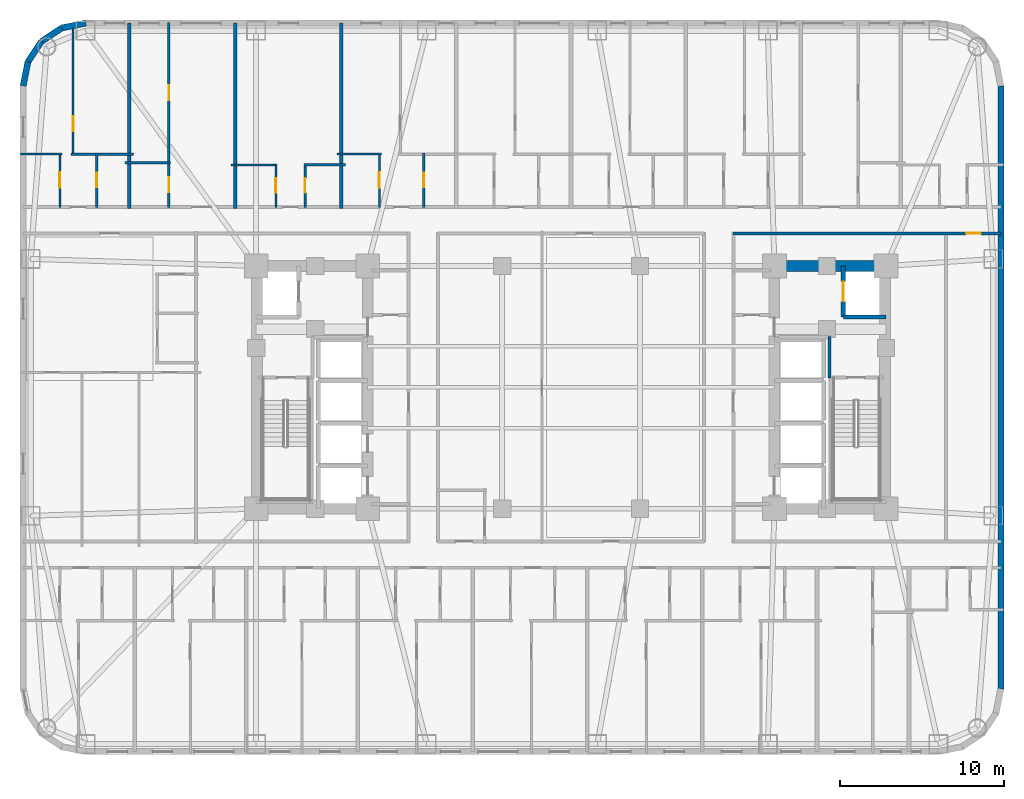
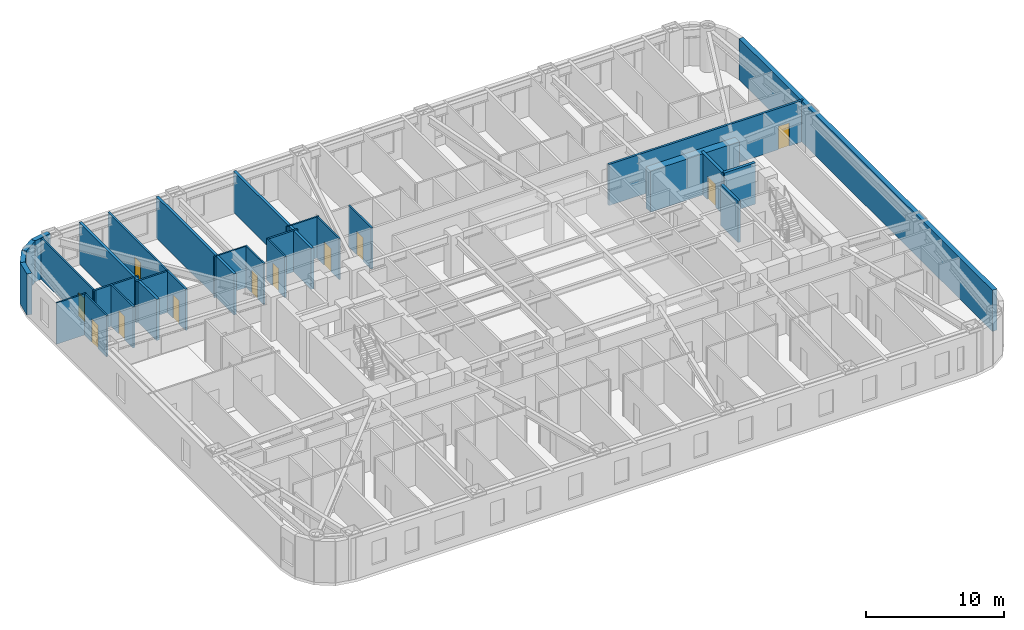
# One storey, part 7 of 12: 28 walls, 11 doors, 11 openings.
"""IFC4 building model written with IfcOpenShell, lengths in metres."""

from ifc_helpers import new_model, si_unit, direction, frame, frame_2d, origin, place, context, subcontext, project, spatial, rectangle, extrude, material, layer, layer_set, type_object, element, fill, save


model = new_model("IFC4")

# Units and contexts
model_context = context("Model", 3, precision=1e-05, world=origin(), true_north=direction((0.0, 1.0)))
body_context = subcontext(model_context, "Body", "Model", "MODEL_VIEW")
ifc_project = project(units=[si_unit("LENGTHUNIT", "METRE"), si_unit("AREAUNIT", "SQUARE_METRE"), si_unit("VOLUMEUNIT", "CUBIC_METRE"), si_unit("PLANEANGLEUNIT", "RADIAN"), si_unit("MASSUNIT", "GRAM", prefix="KILO")], contexts=[model_context])

# Site, building, storey
site_placement = place(None, origin())
site = spatial("IfcSite", under=ifc_project, at=site_placement, CompositionType="ELEMENT")
building_placement = place(site_placement, origin())
building = spatial("IfcBuilding", under=site, at=building_placement, Name="Voryun Gate Residences", CompositionType="ELEMENT")
storey_placement = place(building_placement, frame((0.0, 0.0, 65.0)))
storey = spatial("IfcBuildingStorey", under=building, at=storey_placement, Name="L15", CompositionType="ELEMENT", Elevation=65.0)

# Wall
ifc_material_1 = material(Name="Concrete C60/75", Category="concrete")
ifc_layer_1 = layer(ifc_material_1, 0.64990234375, Name="CW_CORE_650")
ifc_layer_set_1 = layer_set([ifc_layer_1], Name="Concrete C60/75")
wall_type_1 = type_object("IfcWallType", Name="CW_CORE_650", PredefinedType="SHEAR", material=ifc_layer_set_1)
wall_1_placement = place(storey_placement, frame((12.074951171875, 7.39990234375, 0.0), z_axis=(0.0, 0.0, 1.0), x_axis=(1.0, 0.0, 0.0)))
element("IfcWall", 1, at=wall_1_placement, inside=storey, type_object=wall_type_1, Name="L15 Core shear wall CW-L15-EN", PredefinedType="SHEAR", context=body_context, shape_type="SweptSolid", body=[
    extrude(rectangle(XDim=7.449951171875, YDim=0.64990234375, at=frame_2d((3.72509765625, 0.0))), origin(), (0.0, 0.0, 1.0), 3.64990234375),
])

# Wall, opening, door
ifc_material_2 = material(Name="Gypsum acoustic fireboard")
ifc_layer_2 = layer(ifc_material_2, 0.179931640625, Name="W_CORR_RATED_180")
ifc_layer_set_2 = layer_set([ifc_layer_2], Name="Gypsum acoustic fireboard")
wall_type_2 = type_object("IfcWallType", Name="W_CORR_RATED_180", PredefinedType="PARTITIONING", material=ifc_layer_set_2)
wall_2_placement = place(storey_placement, frame((9.8798828125, 9.389892578125, 0.0), z_axis=(0.0, 0.0, 1.0), x_axis=(1.0, 0.0, 0.0)))
wall_2 = element("IfcWall", 2, at=wall_2_placement, inside=storey, type_object=wall_type_2, Name="Partition wall WP-L15-CWING-EN", PredefinedType="PARTITIONING", context=body_context, shape_type="SweptSolid", body=[
    extrude(rectangle(XDim=16.330078125, YDim=0.179931640625, at=frame_2d((8.1650390625, 0.0))), origin(), (0.0, 0.0, 1.0), 3.64990234375),
])
opening_1_placement = place(wall_2_placement, frame((14.21435546875, 0.0, 0.0)))
opening_1 = element("IfcOpeningElement", 3, at=opening_1_placement, cuts=wall_2, Name="Opening D-INT-2", PredefinedType="OPENING", context=body_context, shape_type="SweptSolid", body=[
    extrude(rectangle(XDim=0.89990234375, YDim=2.050048828125, at=frame_2d((0.449951171875, 1.02490234375))), frame((0.0, 0.099853515625, 0.0), z_axis=(0.0, -1.0, 0.0), x_axis=(1.0, 0.0, 0.0)), (0.0, 0.0, 1.0), 0.199951171875),
])
ifc_material_3 = material(Name="Architectural oak veneer")
door_type_1 = type_object("IfcDoorType", Name="DR_INT_BATH_900", OperationType="NOTDEFINED", PredefinedType="DOOR", material=ifc_material_3)
door_1_placement = place(opening_1_placement, origin())
door_1 = element("IfcDoor", 4, at=door_1_placement, inside=storey, type_object=door_type_1, Name="Door DR-L15-EE1N", OperationType="SINGLE_SWING_LEFT", OverallHeight=2.050048828125, OverallWidth=0.89990234375, PredefinedType="DOOR", context=body_context, shape_type="SweptSolid", body=[
    extrude(rectangle(XDim=0.89990234375, YDim=2.050048828125, at=frame_2d((0.449951171875, 1.02490234375))), frame((0.0, 0.02490234375, 0.0), z_axis=(0.0, -1.0, 0.0), x_axis=(1.0, 0.0, 0.0)), (0.0, 0.0, 1.0), 0.050048828125),
])
fill(opening_1, door_1)

# Walls
ifc_material_4 = material(Name="Granite masonry", Category="masonry")
ifc_layer_3 = layer(ifc_material_4, 0.3798828125, Name="W_EXT_GRANITE_380")
ifc_layer_set_3 = layer_set([ifc_layer_3], Name="Granite masonry")
wall_type_3 = type_object("IfcWallType", Name="W_EXT_GRANITE_380", PredefinedType="ELEMENTEDWALL", material=ifc_layer_set_3)
wall_3_placement = place(storey_placement, frame((-33.409912109375, 18.38134765625, 0.0), z_axis=(0.0, 0.0, 1.0), x_axis=(0.195086038585, 0.980786132421, 0.0)))
element("IfcWall", 5, at=wall_3_placement, inside=storey, type_object=wall_type_3, Name="Exterior wall WEXT-L15-07", PredefinedType="ELEMENTEDWALL", context=body_context, shape_type="SweptSolid", body=[
    extrude(rectangle(XDim=1.504150390625, YDim=0.3798828125, at=frame_2d((0.751953125, 0.0))), origin(), (0.0, 0.0, 1.0), 3.64990234375),
])
wall_4_placement = place(storey_placement, frame((-33.116455078125, 19.856689453125, 0.0), z_axis=(0.0, 0.0, 1.0), x_axis=(0.555572577804, 0.831468045563, 0.0)))
element("IfcWall", 6, at=wall_4_placement, inside=storey, type_object=wall_type_3, Name="Exterior wall WEXT-L15-08", PredefinedType="ELEMENTEDWALL", context=body_context, shape_type="SweptSolid", body=[
    extrude(rectangle(XDim=1.48486328125, YDim=0.3798828125, at=frame_2d((0.742431640625, 0.0))), origin(), (0.0, 0.0, 1.0), 3.64990234375),
])
wall_5_placement = place(storey_placement, frame((-32.29150390625, 21.09130859375, 0.0), z_axis=(0.0, 0.0, 1.0), x_axis=(0.831442848281, 0.555610286119, 0.0)))
element("IfcWall", 7, at=wall_5_placement, inside=storey, type_object=wall_type_3, Name="Exterior wall WEXT-L15-09", PredefinedType="ELEMENTEDWALL", context=body_context, shape_type="SweptSolid", body=[
    extrude(rectangle(XDim=1.485107421875, YDim=0.3798828125, at=frame_2d((0.74267578125, 0.0))), origin(), (0.0, 0.0, 1.0), 3.64990234375),
])
wall_6_placement = place(storey_placement, frame((-31.056640625, 21.91650390625, 0.0), z_axis=(0.0, 0.0, 1.0), x_axis=(0.980786132421, 0.195086038585, 0.0)))
element("IfcWall", 8, at=wall_6_placement, inside=storey, type_object=wall_type_3, Name="Exterior wall WEXT-L15-10", PredefinedType="ELEMENTEDWALL", context=body_context, shape_type="SweptSolid", body=[
    extrude(rectangle(XDim=1.504150390625, YDim=0.3798828125, at=frame_2d((0.751953125, 0.0))), origin(), (0.0, 0.0, 1.0), 3.64990234375),
])
wall_7_placement = place(storey_placement, frame((26.2099609375, 18.38134765625, 0.0), z_axis=(0.0, 0.0, 1.0), x_axis=(0.0, -1.0, 0.0)))
element("IfcWall", 9, at=wall_7_placement, inside=storey, type_object=wall_type_3, Name="Exterior wall WEXT-L15-16", PredefinedType="ELEMENTEDWALL", context=body_context, shape_type="SweptSolid", body=[
    extrude(rectangle(XDim=36.7626953125, YDim=0.3798828125, at=frame_2d((18.38134765625, 0.0))), origin(), (0.0, 0.0, 1.0), 3.64990234375),
])
ifc_material_5 = material(Name="Concrete C40/50", Category="concrete")
ifc_layer_4 = layer(ifc_material_5, 0.199951171875, Name="W_FF_LOBBY_200")
ifc_layer_set_4 = layer_set([ifc_layer_4], Name="Concrete C40/50")
wall_type_4 = type_object("IfcWallType", Name="W_FF_LOBBY_200", PredefinedType="PARTITIONING", material=ifc_layer_set_4)
wall_8_placement = place(storey_placement, frame((15.760009765625, 0.580078125, 0.0), z_axis=(0.0, 0.0, 1.0), x_axis=(0.0, 1.0, 0.0)))
element("IfcWall", 10, at=wall_8_placement, inside=storey, type_object=wall_type_4, Name="Partition wall WP-L15-FFP0-E", PredefinedType="PARTITIONING", context=body_context, shape_type="SweptSolid", body=[
    extrude(rectangle(XDim=2.52001953125, YDim=0.199951171875, at=frame_2d((1.260009765625, 0.0))), origin(), (0.0, 0.0, 1.0), 3.64990234375),
])
ifc_material_6 = material(Name="Concrete C40/50", Category="concrete")
ifc_layer_5 = layer(ifc_material_6, 0.219970703125, Name="W_PARTY_ACOUSTIC_220")
ifc_layer_set_5 = layer_set([ifc_layer_5], Name="Concrete C40/50")
wall_type_5 = type_object("IfcWallType", Name="W_PARTY_ACOUSTIC_220", PredefinedType="PARTITIONING", material=ifc_layer_set_5)
for number, where, z_axis, x_axis, name in (
    (11, (-26.945068359375, 10.919921875, 0.0), (0.0, 0.0, 1.0), (0.0, 1.0, 0.0), "Partition wall WP-L15-NPTY-1"),
    (12, (-20.472900390625, 10.919921875, 0.0), (0.0, 0.0, 1.0), (0.0, 1.0, 0.0), "Partition wall WP-L15-NPTY-2"),
    (13, (-14.0, 10.919921875, 0.0), (0.0, 0.0, 1.0), (0.0, 1.0, 0.0), "Partition wall WP-L15-NPTY-3"),
):
    element("IfcWall", number, at=place(storey_placement, frame(where, z_axis=z_axis, x_axis=x_axis)), inside=storey, type_object=wall_type_5, Name=name, PredefinedType="PARTITIONING", context=body_context, shape_type="SweptSolid", body=[
        extrude(rectangle(XDim=11.2900390625, YDim=0.219970703125, at=frame_2d((5.64501953125, 0.0))), origin(), (0.0, 0.0, 1.0), 3.64990234375),
    ])
ifc_material_7 = material(Name="Concrete C50/60", Category="concrete")
ifc_layer_6 = layer(ifc_material_7, 0.25, Name="W_SHAFT_RC250")
ifc_layer_set_6 = layer_set([ifc_layer_6], Name="Concrete C50/60")
wall_type_6 = type_object("IfcWallType", Name="W_SHAFT_RC250", PredefinedType="SOLIDWALL", material=ifc_layer_set_6)
wall_9_placement = place(storey_placement, frame((16.60009765625, 4.300048828125, 0.0), z_axis=(0.0, 0.0, 1.0), x_axis=(1.0, 0.0, 0.0)))
element("IfcWall", 14, at=wall_9_placement, inside=storey, type_object=wall_type_6, Name="Lift shaft wall WSH-L15-EL-FF-E1-S", PredefinedType="SOLIDWALL", context=body_context, shape_type="SweptSolid", body=[
    extrude(rectangle(XDim=2.599853515625, YDim=0.25, at=frame_2d((1.2998046875, 0.0))), origin(), (0.0, 0.0, 1.0), 3.64990234375),
])

# Wall, opening, door
wall_10_placement = place(storey_placement, frame((16.60009765625, 7.39990234375, 0.0), z_axis=(0.0, 0.0, 1.0), x_axis=(0.0, -1.0, 0.0)))
wall_10 = element("IfcWall", 15, at=wall_10_placement, inside=storey, type_object=wall_type_6, Name="Lift shaft wall WSH-L15-EL-FF-E1-W", PredefinedType="SOLIDWALL", context=body_context, shape_type="SweptSolid", body=[
    extrude(rectangle(XDim=3.099853515625, YDim=0.25, at=frame_2d((1.5498046875, 0.0))), origin(), (0.0, 0.0, 1.0), 3.64990234375),
])
opening_2_placement = place(wall_10_placement, frame((0.949951171875, 0.0, 0.0)))
opening_2 = element("IfcOpeningElement", 16, at=opening_2_placement, cuts=wall_10, Name="Opening LD1", PredefinedType="OPENING", context=body_context, shape_type="SweptSolid", body=[
    extrude(rectangle(XDim=1.199951171875, YDim=2.050048828125, at=frame_2d((0.60009765625, 1.02490234375))), frame((0.0, 0.135009765625, 0.0), z_axis=(0.0, -1.0, 0.0), x_axis=(1.0, 0.0, 0.0)), (0.0, 0.0, 1.0), 0.27001953125),
])
ifc_material_8 = material(Name="Anodised aluminium", Category="aluminium")
door_type_2 = type_object("IfcDoorType", Name="DR_LD_FF_1200", OperationType="NOTDEFINED", PredefinedType="DOOR", material=ifc_material_8)
door_2_placement = place(opening_2_placement, origin())
door_2 = element("IfcDoor", 17, at=door_2_placement, inside=storey, type_object=door_type_2, Name="Lift EL-FF-E1 sliding landing door L15", OperationType="SLIDING_TO_LEFT", OverallHeight=2.050048828125, OverallWidth=1.199951171875, PredefinedType="DOOR", context=body_context, shape_type="SweptSolid", body=[
    extrude(rectangle(XDim=1.199951171875, YDim=2.050048828125, at=frame_2d((0.60009765625, 1.02490234375))), frame((0.0, 0.02490234375, 0.0), z_axis=(0.0, -1.0, 0.0), x_axis=(1.0, 0.0, 0.0)), (0.0, 0.0, 1.0), 0.050048828125),
])
fill(opening_2, door_2)

ifc_material_9 = material(Name="Gypsum acoustic partition")
ifc_layer_7 = layer(ifc_material_9, 0.125, Name="W_UNIT_PART_125")
ifc_layer_set_7 = layer_set([ifc_layer_7], Name="Gypsum acoustic partition")
wall_type_7 = type_object("IfcWallType", Name="W_UNIT_PART_125", PredefinedType="PARTITIONING", material=ifc_layer_set_7)
wall_11_placement = place(storey_placement, frame((-30.35498046875, 14.139892578125, 0.0), z_axis=(0.0, 0.0, 1.0), x_axis=(0.0, 1.0, 0.0)))
wall_11 = element("IfcWall", 18, at=wall_11_placement, inside=storey, type_object=wall_type_7, Name="Partition wall WP-L15-N1-OVR", PredefinedType="PARTITIONING", context=body_context, shape_type="SweptSolid", body=[
    extrude(rectangle(XDim=8.069091796875, YDim=0.125, at=frame_2d((4.03466796875, 0.0))), origin(), (0.0, 0.0, 1.0), 3.64990234375),
])
opening_3_placement = place(wall_11_placement, frame((1.486572265625, 0.0, 0.0)))
opening_3 = element("IfcOpeningElement", 19, at=opening_3_placement, cuts=wall_11, Name="Opening D-INT-2", PredefinedType="OPENING", context=body_context, shape_type="SweptSolid", body=[
    extrude(rectangle(XDim=0.89990234375, YDim=2.050048828125, at=frame_2d((0.449951171875, 1.02490234375))), frame((0.0, 0.072509765625, 0.0), z_axis=(0.0, -1.0, 0.0), x_axis=(1.0, 0.0, 0.0)), (0.0, 0.0, 1.0), 0.14501953125),
])
door_3_placement = place(opening_3_placement, origin())
door_3 = element("IfcDoor", 20, at=door_3_placement, inside=storey, type_object=door_type_1, Name="Door DR-L15-N1-DMB", OperationType="SINGLE_SWING_RIGHT", OverallHeight=2.050048828125, OverallWidth=0.89990234375, PredefinedType="DOOR", context=body_context, shape_type="SweptSolid", body=[
    extrude(rectangle(XDim=0.89990234375, YDim=2.050048828125, at=frame_2d((0.449951171875, 1.02490234375))), frame((0.0, 0.02490234375, 0.0), z_axis=(0.0, -1.0, 0.0), x_axis=(1.0, 0.0, 0.0)), (0.0, 0.0, 1.0), 0.050048828125),
])
fill(opening_3, door_3)

wall_12_placement = place(storey_placement, frame((-31.16796875, 10.97998046875, 0.0), z_axis=(0.0, 0.0, 1.0), x_axis=(0.0, 1.0, 0.0)))
wall_12 = element("IfcWall", 21, at=wall_12_placement, inside=storey, type_object=wall_type_7, Name="Partition wall WP-L15-N1-IVK", PredefinedType="PARTITIONING", context=body_context, shape_type="SweptSolid", body=[
    extrude(rectangle(XDim=3.320068359375, YDim=0.125, at=frame_2d((1.66015625, 0.0))), origin(), (0.0, 0.0, 1.0), 3.64990234375),
])
opening_4_placement = place(wall_12_placement, frame((1.18505859375, 0.0, 0.0)))
opening_4 = element("IfcOpeningElement", 22, at=opening_4_placement, cuts=wall_12, Name="Opening D-INT-1", PredefinedType="OPENING", context=body_context, shape_type="SweptSolid", body=[
    extrude(rectangle(XDim=0.949951171875, YDim=2.050048828125, at=frame_2d((0.47509765625, 1.02490234375))), frame((0.0, 0.072509765625, 0.0), z_axis=(0.0, -1.0, 0.0), x_axis=(1.0, 0.0, 0.0)), (0.0, 0.0, 1.0), 0.14501953125),
])
ifc_material_10 = material(Name="Architectural oak veneer")
door_type_3 = type_object("IfcDoorType", Name="DR_INT_ROOM_950", OperationType="NOTDEFINED", PredefinedType="DOOR", material=ifc_material_10)
door_4_placement = place(opening_4_placement, origin())
door_4 = element("IfcDoor", 23, at=door_4_placement, inside=storey, type_object=door_type_3, Name="Door DR-L15-N1-DK", OperationType="SINGLE_SWING_LEFT", OverallHeight=2.050048828125, OverallWidth=0.949951171875, PredefinedType="DOOR", context=body_context, shape_type="SweptSolid", body=[
    extrude(rectangle(XDim=0.949951171875, YDim=2.050048828125, at=frame_2d((0.47509765625, 1.02490234375))), frame((0.0, 0.02490234375, 0.0), z_axis=(0.0, -1.0, 0.0), x_axis=(1.0, 0.0, 0.0)), (0.0, 0.0, 1.0), 0.050048828125),
])
fill(opening_4, door_4)

# Wall
wall_13_placement = place(storey_placement, frame((-33.56005859375, 14.219970703125, 0.0), z_axis=(0.0, 0.0, 1.0), x_axis=(1.0, 0.0, 0.0)))
element("IfcWall", 24, at=wall_13_placement, inside=storey, type_object=wall_type_7, Name="Partition wall WP-L15-N1-HZK", PredefinedType="PARTITIONING", context=body_context, shape_type="SweptSolid", body=[
    extrude(rectangle(XDim=2.511962890625, YDim=0.125, at=frame_2d((1.255859375, 0.0))), origin(), (0.0, 0.0, 1.0), 3.64990234375),
])

# Wall, opening, door
wall_14_placement = place(storey_placement, frame((-17.9990234375, 10.97998046875, 0.0), z_axis=(0.0, 0.0, 1.0), x_axis=(0.0, 1.0, 0.0)))
wall_14 = element("IfcWall", 25, at=wall_14_placement, inside=storey, type_object=wall_type_7, Name="Partition wall WP-L15-N3-CVK", PredefinedType="PARTITIONING", context=body_context, shape_type="SweptSolid", body=[
    extrude(rectangle(XDim=2.64990234375, YDim=0.125, at=frame_2d((1.324951171875, 0.0))), origin(), (0.0, 0.0, 1.0), 3.64990234375),
])
opening_5_placement = place(wall_14_placement, frame((0.875, 0.0, 0.0)))
opening_5 = element("IfcOpeningElement", 26, at=opening_5_placement, cuts=wall_14, Name="Opening D-INT-2", PredefinedType="OPENING", context=body_context, shape_type="SweptSolid", body=[
    extrude(rectangle(XDim=0.89990234375, YDim=2.050048828125, at=frame_2d((0.449951171875, 1.02490234375))), frame((0.0, 0.072509765625, 0.0), z_axis=(0.0, -1.0, 0.0), x_axis=(1.0, 0.0, 0.0)), (0.0, 0.0, 1.0), 0.14501953125),
])
door_5_placement = place(opening_5_placement, origin())
door_5 = element("IfcDoor", 27, at=door_5_placement, inside=storey, type_object=door_type_1, Name="Door DR-L15-N3-DK", OperationType="SINGLE_SWING_LEFT", OverallHeight=2.050048828125, OverallWidth=0.89990234375, PredefinedType="DOOR", context=body_context, shape_type="SweptSolid", body=[
    extrude(rectangle(XDim=0.89990234375, YDim=2.050048828125, at=frame_2d((0.449951171875, 1.02490234375))), frame((0.0, 0.02490234375, 0.0), z_axis=(0.0, -1.0, 0.0), x_axis=(1.0, 0.0, 0.0)), (0.0, 0.0, 1.0), 0.050048828125),
])
fill(opening_5, door_5)

# Wall
wall_15_placement = place(storey_placement, frame((-20.73291015625, 13.570068359375, 0.0), z_axis=(0.0, 0.0, 1.0), x_axis=(1.0, 0.0, 0.0)))
element("IfcWall", 28, at=wall_15_placement, inside=storey, type_object=wall_type_7, Name="Partition wall WP-L15-N3-CHK", PredefinedType="PARTITIONING", context=body_context, shape_type="SweptSolid", body=[
    extrude(rectangle(XDim=2.7939453125, YDim=0.125, at=frame_2d((1.39697265625, 0.0))), origin(), (0.0, 0.0, 1.0), 3.64990234375),
])

# Wall, opening, door
wall_16_placement = place(storey_placement, frame((-11.68994140625, 10.97998046875, 0.0), z_axis=(0.0, 0.0, 1.0), x_axis=(0.0, 1.0, 0.0)))
wall_16 = element("IfcWall", 29, at=wall_16_placement, inside=storey, type_object=wall_type_7, Name="Partition wall WP-L15-N4-IVK", PredefinedType="PARTITIONING", context=body_context, shape_type="SweptSolid", body=[
    extrude(rectangle(XDim=3.320068359375, YDim=0.125, at=frame_2d((1.66015625, 0.0))), origin(), (0.0, 0.0, 1.0), 3.64990234375),
])
opening_6_placement = place(wall_16_placement, frame((1.18505859375, 0.0, 0.0)))
opening_6 = element("IfcOpeningElement", 30, at=opening_6_placement, cuts=wall_16, Name="Opening D-INT-1", PredefinedType="OPENING", context=body_context, shape_type="SweptSolid", body=[
    extrude(rectangle(XDim=0.949951171875, YDim=2.050048828125, at=frame_2d((0.47509765625, 1.02490234375))), frame((0.0, 0.072509765625, 0.0), z_axis=(0.0, -1.0, 0.0), x_axis=(1.0, 0.0, 0.0)), (0.0, 0.0, 1.0), 0.14501953125),
])
door_6_placement = place(opening_6_placement, origin())
door_6 = element("IfcDoor", 31, at=door_6_placement, inside=storey, type_object=door_type_3, Name="Door DR-L15-N4-DK", OperationType="SINGLE_SWING_LEFT", OverallHeight=2.050048828125, OverallWidth=0.949951171875, PredefinedType="DOOR", context=body_context, shape_type="SweptSolid", body=[
    extrude(rectangle(XDim=0.949951171875, YDim=2.050048828125, at=frame_2d((0.47509765625, 1.02490234375))), frame((0.0, 0.02490234375, 0.0), z_axis=(0.0, -1.0, 0.0), x_axis=(1.0, 0.0, 0.0)), (0.0, 0.0, 1.0), 0.050048828125),
])
fill(opening_6, door_6)

# Walls
wall_17_placement = place(storey_placement, frame((-14.260009765625, 14.219970703125, 0.0), z_axis=(0.0, 0.0, 1.0), x_axis=(1.0, 0.0, 0.0)))
element("IfcWall", 32, at=wall_17_placement, inside=storey, type_object=wall_type_7, Name="Partition wall WP-L15-N4-HZK", PredefinedType="PARTITIONING", context=body_context, shape_type="SweptSolid", body=[
    extrude(rectangle(XDim=2.68994140625, YDim=0.125, at=frame_2d((1.344970703125, 0.0))), origin(), (0.0, 0.0, 1.0), 3.64990234375),
])
ifc_material_11 = material(Name="Gypsum moisture-resistant partition")
ifc_layer_8 = layer(ifc_material_11, 0.14990234375, Name="W_WET_PLUMB_150")
ifc_layer_set_8 = layer_set([ifc_layer_8], Name="Gypsum moisture-resistant partition")
wall_type_8 = type_object("IfcWallType", Name="W_WET_PLUMB_150", PredefinedType="PLUMBINGWALL", material=ifc_layer_set_8)
wall_18_placement = place(storey_placement, frame((-30.47509765625, 14.219970703125, 0.0), z_axis=(0.0, 0.0, 1.0), x_axis=(1.0, 0.0, 0.0)))
element("IfcWall", 33, at=wall_18_placement, inside=storey, type_object=wall_type_8, Name="Partition wall WP-L15-N1-HZB", PredefinedType="PLUMBINGWALL", context=body_context, shape_type="SweptSolid", body=[
    extrude(rectangle(XDim=3.7900390625, YDim=0.14990234375, at=frame_2d((1.89501953125, 0.0))), origin(), (0.0, 0.0, 1.0), 3.64990234375),
])

# Wall, opening, door
wall_19_placement = place(storey_placement, frame((-28.925048828125, 10.97998046875, 0.0), z_axis=(0.0, 0.0, 1.0), x_axis=(0.0, 1.0, 0.0)))
wall_19 = element("IfcWall", 34, at=wall_19_placement, inside=storey, type_object=wall_type_8, Name="Partition wall WP-L15-N1-IVB", PredefinedType="PLUMBINGWALL", context=body_context, shape_type="SweptSolid", body=[
    extrude(rectangle(XDim=3.320068359375, YDim=0.14990234375, at=frame_2d((1.66015625, 0.0))), origin(), (0.0, 0.0, 1.0), 3.64990234375),
])
opening_7_placement = place(wall_19_placement, frame((1.2099609375, 0.0, 0.0)))
opening_7 = element("IfcOpeningElement", 35, at=opening_7_placement, cuts=wall_19, Name="Opening D-INT-2", PredefinedType="OPENING", context=body_context, shape_type="SweptSolid", body=[
    extrude(rectangle(XDim=0.89990234375, YDim=2.050048828125, at=frame_2d((0.449951171875, 1.02490234375))), frame((0.0, 0.0849609375, 0.0), z_axis=(0.0, -1.0, 0.0), x_axis=(1.0, 0.0, 0.0)), (0.0, 0.0, 1.0), 0.169921875),
])
door_7_placement = place(opening_7_placement, origin())
door_7 = element("IfcDoor", 36, at=door_7_placement, inside=storey, type_object=door_type_1, Name="Door DR-L15-N1-DB", OperationType="SINGLE_SWING_RIGHT", OverallHeight=2.050048828125, OverallWidth=0.89990234375, PredefinedType="DOOR", context=body_context, shape_type="SweptSolid", body=[
    extrude(rectangle(XDim=0.89990234375, YDim=2.050048828125, at=frame_2d((0.449951171875, 1.02490234375))), frame((0.0, 0.02490234375, 0.0), z_axis=(0.0, -1.0, 0.0), x_axis=(1.0, 0.0, 0.0)), (0.0, 0.0, 1.0), 0.050048828125),
])
fill(opening_7, door_7)

# Wall
wall_20_placement = place(storey_placement, frame((-27.205078125, 13.699951171875, 0.0), z_axis=(0.0, 0.0, 1.0), x_axis=(1.0, 0.0, 0.0)))
element("IfcWall", 37, at=wall_20_placement, inside=storey, type_object=wall_type_8, Name="Partition wall WP-L15-N2-SKB", PredefinedType="PLUMBINGWALL", context=body_context, shape_type="SweptSolid", body=[
    extrude(rectangle(XDim=2.76904296875, YDim=0.14990234375, at=frame_2d((1.384521484375, 0.0))), origin(), (0.0, 0.0, 1.0), 3.64990234375),
])

# Wall, opening, door
wall_21_placement = place(storey_placement, frame((-24.51611328125, 10.97998046875, 0.0), z_axis=(0.0, 0.0, 1.0), x_axis=(0.0, 1.0, 0.0)))
wall_21 = element("IfcWall", 38, at=wall_21_placement, inside=storey, type_object=wall_type_8, Name="Partition wall WP-L15-N2-SVT1", PredefinedType="PLUMBINGWALL", context=body_context, shape_type="SweptSolid", body=[
    extrude(rectangle(XDim=2.760009765625, YDim=0.14990234375, at=frame_2d((1.3798828125, 0.0))), origin(), (0.0, 0.0, 1.0), 3.64990234375),
])
opening_8_placement = place(wall_21_placement, frame((0.929931640625, 0.0, 0.0)))
opening_8 = element("IfcOpeningElement", 39, at=opening_8_placement, cuts=wall_21, Name="Opening D-INT-2", PredefinedType="OPENING", context=body_context, shape_type="SweptSolid", body=[
    extrude(rectangle(XDim=0.89990234375, YDim=2.050048828125, at=frame_2d((0.449951171875, 1.02490234375))), frame((0.0, 0.0849609375, 0.0), z_axis=(0.0, -1.0, 0.0), x_axis=(1.0, 0.0, 0.0)), (0.0, 0.0, 1.0), 0.169921875),
])
door_8_placement = place(opening_8_placement, origin())
door_8 = element("IfcDoor", 40, at=door_8_placement, inside=storey, type_object=door_type_1, Name="Door DR-L15-N2-DB", OperationType="SINGLE_SWING_LEFT", OverallHeight=2.050048828125, OverallWidth=0.89990234375, PredefinedType="DOOR", context=body_context, shape_type="SweptSolid", body=[
    extrude(rectangle(XDim=0.89990234375, YDim=2.050048828125, at=frame_2d((0.449951171875, 1.02490234375))), frame((0.0, 0.02490234375, 0.0), z_axis=(0.0, -1.0, 0.0), x_axis=(1.0, 0.0, 0.0)), (0.0, 0.0, 1.0), 0.050048828125),
])
fill(opening_8, door_8)

wall_22_placement = place(storey_placement, frame((-24.51611328125, 13.659912109375, 0.0), z_axis=(0.0, 0.0, 1.0), x_axis=(0.0, 1.0, 0.0)))
wall_22 = element("IfcWall", 41, at=wall_22_placement, inside=storey, type_object=wall_type_8, Name="Partition wall WP-L15-N2-SVT2", PredefinedType="PLUMBINGWALL", context=body_context, shape_type="SweptSolid", body=[
    extrude(rectangle(XDim=8.59765625, YDim=0.14990234375, at=frame_2d((4.298828125, 0.0))), origin(), (0.0, 0.0, 1.0), 3.64990234375),
])
opening_9_placement = place(wall_22_placement, frame((3.848876953125, 0.0, 0.0)))
opening_9 = element("IfcOpeningElement", 42, at=opening_9_placement, cuts=wall_22, Name="Opening D-INT-2", PredefinedType="OPENING", context=body_context, shape_type="SweptSolid", body=[
    extrude(rectangle(XDim=0.89990234375, YDim=2.050048828125, at=frame_2d((0.449951171875, 1.02490234375))), frame((0.0, 0.0849609375, 0.0), z_axis=(0.0, -1.0, 0.0), x_axis=(1.0, 0.0, 0.0)), (0.0, 0.0, 1.0), 0.169921875),
])
door_9_placement = place(opening_9_placement, origin())
door_9 = element("IfcDoor", 43, at=door_9_placement, inside=storey, type_object=door_type_1, Name="Door DR-L15-N2-DK", OperationType="SINGLE_SWING_RIGHT", OverallHeight=2.050048828125, OverallWidth=0.89990234375, PredefinedType="DOOR", context=body_context, shape_type="SweptSolid", body=[
    extrude(rectangle(XDim=0.89990234375, YDim=2.050048828125, at=frame_2d((0.449951171875, 1.02490234375))), frame((0.0, 0.02490234375, 0.0), z_axis=(0.0, -1.0, 0.0), x_axis=(1.0, 0.0, 0.0)), (0.0, 0.0, 1.0), 0.050048828125),
])
fill(opening_9, door_9)

wall_23_placement = place(storey_placement, frame((-16.219970703125, 10.97998046875, 0.0), z_axis=(0.0, 0.0, 1.0), x_axis=(0.0, 1.0, 0.0)))
wall_23 = element("IfcWall", 44, at=wall_23_placement, inside=storey, type_object=wall_type_8, Name="Partition wall WP-L15-N3-CVB", PredefinedType="PLUMBINGWALL", context=body_context, shape_type="SweptSolid", body=[
    extrude(rectangle(XDim=2.64990234375, YDim=0.14990234375, at=frame_2d((1.324951171875, 0.0))), origin(), (0.0, 0.0, 1.0), 3.64990234375),
])
opening_10_placement = place(wall_23_placement, frame((0.875, 0.0, 0.0)))
opening_10 = element("IfcOpeningElement", 45, at=opening_10_placement, cuts=wall_23, Name="Opening D-INT-2", PredefinedType="OPENING", context=body_context, shape_type="SweptSolid", body=[
    extrude(rectangle(XDim=0.89990234375, YDim=2.050048828125, at=frame_2d((0.449951171875, 1.02490234375))), frame((0.0, 0.0849609375, 0.0), z_axis=(0.0, -1.0, 0.0), x_axis=(1.0, 0.0, 0.0)), (0.0, 0.0, 1.0), 0.169921875),
])
door_10_placement = place(opening_10_placement, origin())
door_10 = element("IfcDoor", 46, at=door_10_placement, inside=storey, type_object=door_type_1, Name="Door DR-L15-N3-DB", OperationType="SINGLE_SWING_RIGHT", OverallHeight=2.050048828125, OverallWidth=0.89990234375, PredefinedType="DOOR", context=body_context, shape_type="SweptSolid", body=[
    extrude(rectangle(XDim=0.89990234375, YDim=2.050048828125, at=frame_2d((0.449951171875, 1.02490234375))), frame((0.0, 0.02490234375, 0.0), z_axis=(0.0, -1.0, 0.0), x_axis=(1.0, 0.0, 0.0)), (0.0, 0.0, 1.0), 0.050048828125),
])
fill(opening_10, door_10)

# Wall
wall_24_placement = place(storey_placement, frame((-16.280029296875, 13.570068359375, 0.0), z_axis=(0.0, 0.0, 1.0), x_axis=(1.0, 0.0, 0.0)))
element("IfcWall", 47, at=wall_24_placement, inside=storey, type_object=wall_type_8, Name="Partition wall WP-L15-N3-CHB", PredefinedType="PLUMBINGWALL", context=body_context, shape_type="SweptSolid", body=[
    extrude(rectangle(XDim=2.5400390625, YDim=0.14990234375, at=frame_2d((1.27001953125, 0.0))), origin(), (0.0, 0.0, 1.0), 3.64990234375),
])

# Wall, opening, door
wall_25_placement = place(storey_placement, frame((-8.97998046875, 10.97998046875, 0.0), z_axis=(0.0, 0.0, 1.0), x_axis=(0.0, 1.0, 0.0)))
wall_25 = element("IfcWall", 48, at=wall_25_placement, inside=storey, type_object=wall_type_8, Name="Partition wall WP-L15-N4-IVB", PredefinedType="PLUMBINGWALL", context=body_context, shape_type="SweptSolid", body=[
    extrude(rectangle(XDim=3.320068359375, YDim=0.14990234375, at=frame_2d((1.66015625, 0.0))), origin(), (0.0, 0.0, 1.0), 3.64990234375),
])
opening_11_placement = place(wall_25_placement, frame((1.2099609375, 0.0, 0.0)))
opening_11 = element("IfcOpeningElement", 49, at=opening_11_placement, cuts=wall_25, Name="Opening D-INT-2", PredefinedType="OPENING", context=body_context, shape_type="SweptSolid", body=[
    extrude(rectangle(XDim=0.89990234375, YDim=2.050048828125, at=frame_2d((0.449951171875, 1.02490234375))), frame((0.0, 0.0849609375, 0.0), z_axis=(0.0, -1.0, 0.0), x_axis=(1.0, 0.0, 0.0)), (0.0, 0.0, 1.0), 0.169921875),
])
door_11_placement = place(opening_11_placement, origin())
door_11 = element("IfcDoor", 50, at=door_11_placement, inside=storey, type_object=door_type_1, Name="Door DR-L15-N4-DB", OperationType="SINGLE_SWING_RIGHT", OverallHeight=2.050048828125, OverallWidth=0.89990234375, PredefinedType="DOOR", context=body_context, shape_type="SweptSolid", body=[
    extrude(rectangle(XDim=0.89990234375, YDim=2.050048828125, at=frame_2d((0.449951171875, 1.02490234375))), frame((0.0, 0.02490234375, 0.0), z_axis=(0.0, -1.0, 0.0), x_axis=(1.0, 0.0, 0.0)), (0.0, 0.0, 1.0), 0.050048828125),
])
fill(opening_11, door_11)

save(model, "model.ifc")
